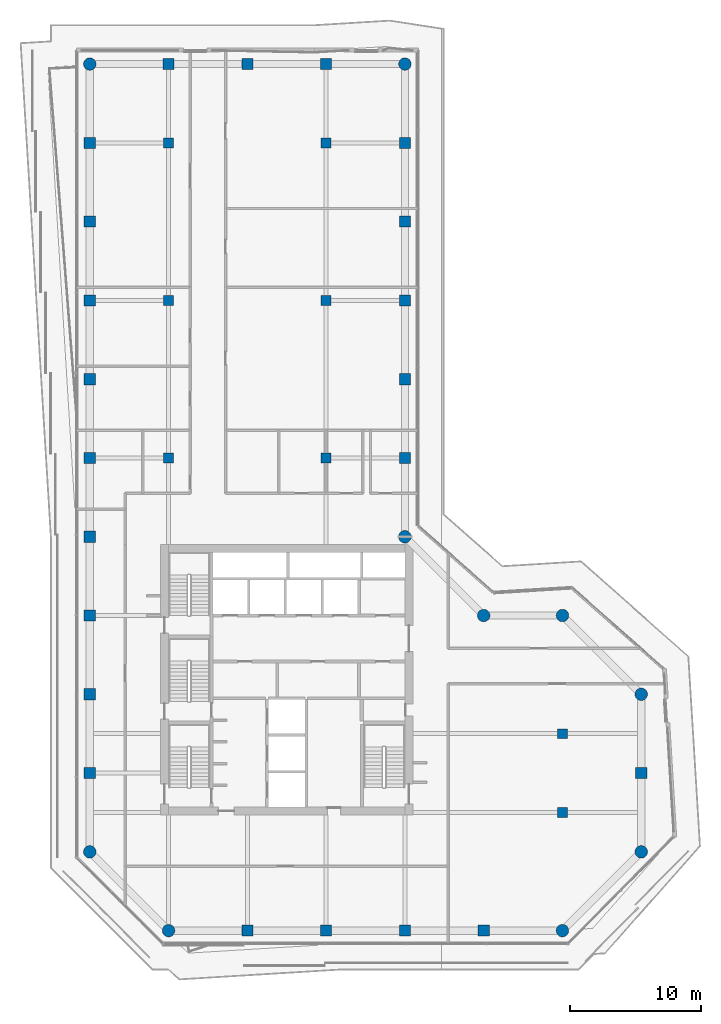
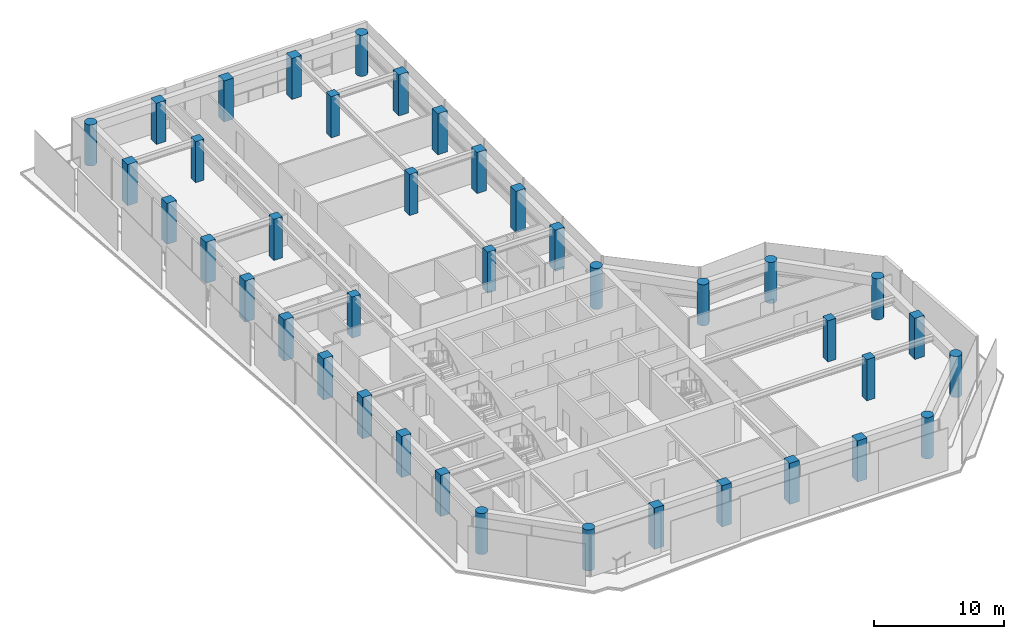
# One storey, part 1 of 21: 40 columns.
"""IFC4 building model written with IfcOpenShell, lengths in metres."""

from ifc_helpers import new_model, si_unit, direction, frame, origin, origin_2d, place, context, subcontext, project, spatial, rectangle, circle, extrude, material, material_profile, profile_set, type_object, element, save


model = new_model("IFC4")

# Units and contexts
model_context = context("Model", 3, precision=1e-05, world=origin(), true_north=direction((0.0, 1.0)))
body_context = subcontext(model_context, "Body", "Model", "MODEL_VIEW")
ifc_project = project(units=[si_unit("LENGTHUNIT", "METRE"), si_unit("AREAUNIT", "SQUARE_METRE"), si_unit("VOLUMEUNIT", "CUBIC_METRE"), si_unit("PLANEANGLEUNIT", "RADIAN"), si_unit("MASSUNIT", "GRAM", prefix="KILO")], contexts=[model_context])

# Site, building, storey
site_placement = place(None, origin())
site = spatial("IfcSite", under=ifc_project, at=site_placement, CompositionType="ELEMENT")
building_placement = place(site_placement, origin())
building = spatial("IfcBuilding", under=site, at=building_placement, Name="Welwitschia Terrace Campus", CompositionType="ELEMENT")
storey_placement = place(building_placement, frame((0.0, 0.0, 184.39990234375)))
storey = spatial("IfcBuildingStorey", under=building, at=storey_placement, Name="L41", CompositionType="ELEMENT", Elevation=184.39990234375)

# Columns
ifc_material_1 = material(Name="Concrete C50/60", Category="concrete")
ifc_material_profile_1 = material_profile(ifc_material_1, circle(Radius=0.47509765625, at=origin_2d()))
ifc_profile_set_1 = profile_set([ifc_material_profile_1], Name="Concrete C50/60")
column_type_1 = type_object("IfcColumnType", Name="Corner column 950 dia", PredefinedType="COLUMN", material=ifc_profile_set_1)
for number, where, z_axis, x_axis, name in (
    (1, (0.0, 2.0, 0.0), (0.0, 0.0, 1.0), (1.0, 0.0, 0.0), "Column C24"),
    (2, (0.0, 62.0, 0.0), (0.0, 0.0, 1.0), (1.0, 0.0, 0.0), "Column C24"),
    (3, (6.0, -4.0, 0.0), (0.0, 0.0, 1.0), (1.0, 0.0, 0.0), "Column C24"),
    (4, (24.0, 26.0, 0.0), (0.0, 0.0, 1.0), (1.0, 0.0, 0.0), "Column C24"),
    (5, (24.0, 62.0, 0.0), (0.0, 0.0, 1.0), (1.0, 0.0, 0.0), "Column C24"),
    (6, (30.0, 20.0, 0.0), (0.0, 0.0, 1.0), (1.0, 0.0, 0.0), "Column C24"),
    (7, (36.0, -4.0, 0.0), (0.0, 0.0, 1.0), (1.0, 0.0, 0.0), "Column C24"),
    (8, (36.0, 20.0, 0.0), (0.0, 0.0, 1.0), (1.0, 0.0, 0.0), "Column C24"),
    (9, (42.0, 2.0, 0.0), (0.0, 0.0, 1.0), (1.0, 0.0, 0.0), "Column C24"),
    (10, (42.0, 14.0, 0.0), (0.0, 0.0, 1.0), (1.0, 0.0, 0.0), "Column C24"),
):
    element("IfcColumn", number, at=place(storey_placement, frame(where, z_axis=z_axis, x_axis=x_axis)), inside=storey, type_object=column_type_1, Name=name, PredefinedType="COLUMN", context=body_context, shape_type="SweptSolid", body=[
        extrude(circle(Radius=0.47509765625, at=origin_2d()), origin(), (0.0, 0.0, 1.0), 3.85009765625),
    ])
ifc_material_2 = material(Name="Concrete C50/60", Category="concrete")
ifc_material_profile_2 = material_profile(ifc_material_2, rectangle(XDim=0.75, YDim=0.75, at=origin_2d()))
ifc_profile_set_2 = profile_set([ifc_material_profile_2], Name="Concrete C50/60")
column_type_2 = type_object("IfcColumnType", Name="Interior column 750x750", PredefinedType="COLUMN", material=ifc_profile_set_2)
for number, where, z_axis, x_axis, name in (
    (11, (6.0, 32.0, 0.0), (0.0, 0.0, 1.0), (1.0, 0.0, 0.0), "Column C25"),
    (12, (6.0, 44.0, 0.0), (0.0, 0.0, 1.0), (1.0, 0.0, 0.0), "Column C25"),
    (13, (6.0, 56.0, 0.0), (0.0, 0.0, 1.0), (1.0, 0.0, 0.0), "Column C25"),
    (14, (18.0, 32.0, 0.0), (0.0, 0.0, 1.0), (1.0, 0.0, 0.0), "Column C25"),
    (15, (18.0, 44.0, 0.0), (0.0, 0.0, 1.0), (1.0, 0.0, 0.0), "Column C25"),
    (16, (18.0, 56.0, 0.0), (0.0, 0.0, 1.0), (1.0, 0.0, 0.0), "Column C25"),
    (17, (36.0, 5.0, 0.0), (0.0, 0.0, 1.0), (1.0, 0.0, 0.0), "Column C25"),
    (18, (36.0, 11.0, 0.0), (0.0, 0.0, 1.0), (1.0, 0.0, 0.0), "Column C25"),
):
    element("IfcColumn", number, at=place(storey_placement, frame(where, z_axis=z_axis, x_axis=x_axis)), inside=storey, type_object=column_type_2, Name=name, PredefinedType="COLUMN", context=body_context, shape_type="SweptSolid", body=[
        extrude(rectangle(XDim=0.75, YDim=0.75, at=origin_2d()), origin(), (0.0, 0.0, 1.0), 3.85009765625),
    ])
ifc_material_3 = material(Name="Concrete C50/60", Category="concrete")
ifc_material_profile_3 = material_profile(ifc_material_3, rectangle(XDim=0.85009765625, YDim=0.85009765625, at=origin_2d()))
ifc_profile_set_3 = profile_set([ifc_material_profile_3], Name="Concrete C50/60")
column_type_3 = type_object("IfcColumnType", Name="Ring column 850x850", PredefinedType="COLUMN", material=ifc_profile_set_3)
for number, where, z_axis, x_axis, name in (
    (19, (0.0, 8.0, 0.0), (0.0, 0.0, 1.0), (1.0, 0.0, 0.0), "Column C23"),
    (20, (0.0, 14.0, 0.0), (0.0, 0.0, 1.0), (1.0, 0.0, 0.0), "Column C23"),
    (21, (0.0, 20.0, 0.0), (0.0, 0.0, 1.0), (1.0, 0.0, 0.0), "Column C23"),
    (22, (0.0, 26.0, 0.0), (0.0, 0.0, 1.0), (1.0, 0.0, 0.0), "Column C23"),
    (23, (0.0, 32.0, 0.0), (0.0, 0.0, 1.0), (1.0, 0.0, 0.0), "Column C23"),
    (24, (0.0, 38.0, 0.0), (0.0, 0.0, 1.0), (1.0, 0.0, 0.0), "Column C23"),
    (25, (0.0, 44.0, 0.0), (0.0, 0.0, 1.0), (1.0, 0.0, 0.0), "Column C23"),
    (26, (0.0, 50.0, 0.0), (0.0, 0.0, 1.0), (1.0, 0.0, 0.0), "Column C23"),
    (27, (0.0, 56.0, 0.0), (0.0, 0.0, 1.0), (1.0, 0.0, 0.0), "Column C23"),
    (28, (6.0, 62.0, 0.0), (0.0, 0.0, 1.0), (1.0, 0.0, 0.0), "Column C23"),
    (29, (12.0, -4.0, 0.0), (0.0, 0.0, 1.0), (1.0, 0.0, 0.0), "Column C23"),
    (30, (12.0, 62.0, 0.0), (0.0, 0.0, 1.0), (1.0, 0.0, 0.0), "Column C23"),
    (31, (18.0, -4.0, 0.0), (0.0, 0.0, 1.0), (1.0, 0.0, 0.0), "Column C23"),
    (32, (18.0, 62.0, 0.0), (0.0, 0.0, 1.0), (1.0, 0.0, 0.0), "Column C23"),
    (33, (24.0, -4.0, 0.0), (0.0, 0.0, 1.0), (1.0, 0.0, 0.0), "Column C23"),
    (34, (24.0, 32.0, 0.0), (0.0, 0.0, 1.0), (1.0, 0.0, 0.0), "Column C23"),
    (35, (24.0, 38.0, 0.0), (0.0, 0.0, 1.0), (1.0, 0.0, 0.0), "Column C23"),
    (36, (24.0, 44.0, 0.0), (0.0, 0.0, 1.0), (1.0, 0.0, 0.0), "Column C23"),
    (37, (24.0, 50.0, 0.0), (0.0, 0.0, 1.0), (1.0, 0.0, 0.0), "Column C23"),
    (38, (24.0, 56.0, 0.0), (0.0, 0.0, 1.0), (1.0, 0.0, 0.0), "Column C23"),
    (39, (30.0, -4.0, 0.0), (0.0, 0.0, 1.0), (1.0, 0.0, 0.0), "Column C23"),
    (40, (42.0, 8.0, 0.0), (0.0, 0.0, 1.0), (1.0, 0.0, 0.0), "Column C23"),
):
    element("IfcColumn", number, at=place(storey_placement, frame(where, z_axis=z_axis, x_axis=x_axis)), inside=storey, type_object=column_type_3, Name=name, PredefinedType="COLUMN", context=body_context, shape_type="SweptSolid", body=[
        extrude(rectangle(XDim=0.85009765625, YDim=0.85009765625, at=origin_2d()), origin(), (0.0, 0.0, 1.0), 3.85009765625),
    ])

save(model, "model.ifc")
